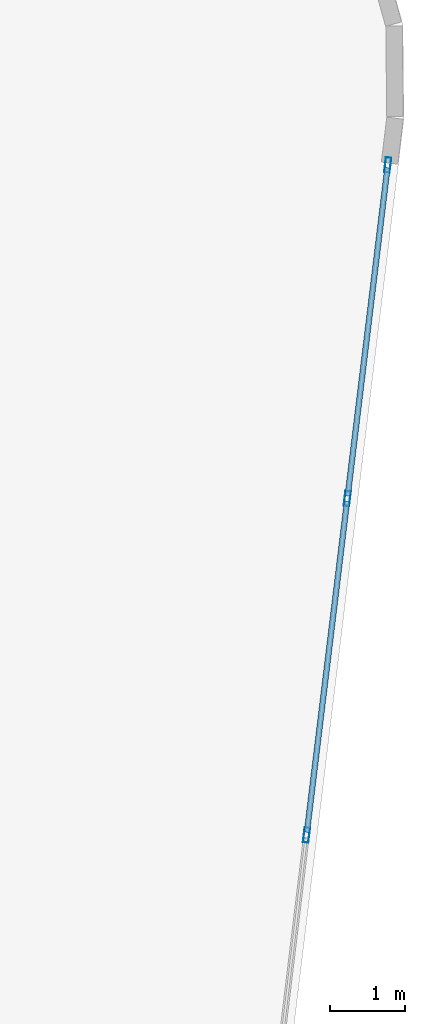
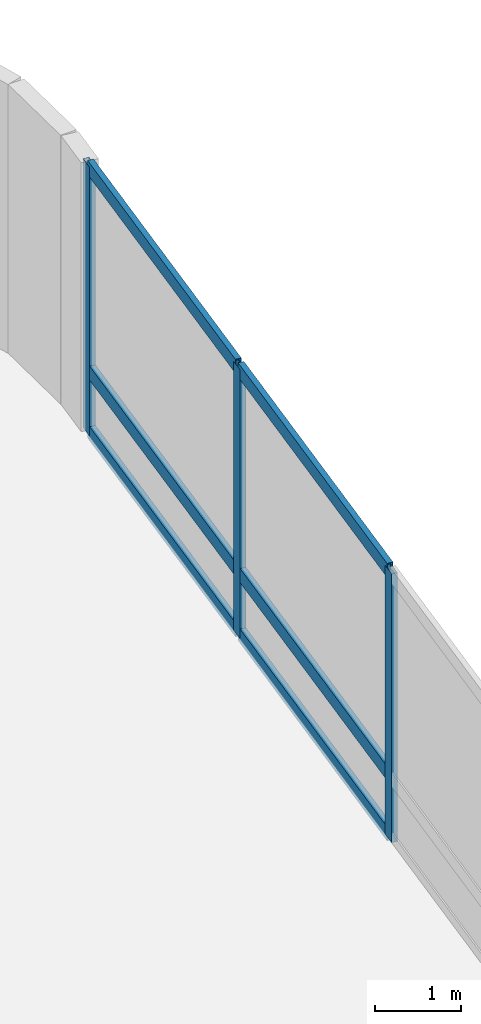
# One storey, part 14 of 22: 9 members, 1 element without a shape of its own.
"""IFC4 building model written with IfcOpenShell, lengths in metres."""

from ifc_helpers import new_model, si_unit, direction, frame, origin, origin_2d, place, context, subcontext, project, spatial, hollow_rectangle, extrude, material, layer, layer_set, material_profile, profile_set, type_object, element, aggregate, save


model = new_model("IFC4")

# Units and contexts
model_context = context("Model", 3, precision=1e-05, world=origin(), true_north=direction((0.0, 1.0)))
body_context = subcontext(model_context, "Body", "Model", "MODEL_VIEW")
ifc_project = project(units=[si_unit("LENGTHUNIT", "METRE"), si_unit("AREAUNIT", "SQUARE_METRE"), si_unit("VOLUMEUNIT", "CUBIC_METRE"), si_unit("PLANEANGLEUNIT", "RADIAN"), si_unit("MASSUNIT", "GRAM", prefix="KILO")], contexts=[model_context])

# Site, building, storey
site_placement = place(None, origin())
site = spatial("IfcSite", under=ifc_project, at=site_placement, CompositionType="ELEMENT")
building_placement = place(site_placement, origin())
building = spatial("IfcBuilding", under=site, at=building_placement, Name="Varnelok Gate Tower", CompositionType="ELEMENT")
storey_placement = place(building_placement, frame((0.0, 0.0, 116.89990234375)))
storey = spatial("IfcBuildingStorey", under=building, at=storey_placement, Name="L29", CompositionType="ELEMENT", Elevation=116.89990234375)

# Curtain wall, members
ifc_material = material(Name="Anodized Aluminum Alloy 6063-T6", Category="aluminium")
ifc_layer = layer(ifc_material, 0.179931640625)
ifc_layer_set = layer_set([ifc_layer], Name="Anodized Aluminum Alloy 6063-T6")
curtain_wall_type = type_object("IfcCurtainWallType", Name="CW2-ATRIUM-GLAZING", PredefinedType="USERDEFINED", material=ifc_layer_set)
curtain_wall_placement = place(storey_placement, origin())
curtain_wall = element("IfcCurtainWall", 1, at=curtain_wall_placement, inside=storey, type_object=curtain_wall_type, Name="L29 East End Vision Curtain Wall", ObjectType="UNITISED CURTAIN WALL", PredefinedType="USERDEFINED")
ifc_material_profile_1 = material_profile(ifc_material, hollow_rectangle(XDim=0.074951171875, YDim=0.199951171875, WallThickness=0.00390625, at=origin_2d()), Name="ALU200X75X4")
ifc_profile_set_1 = profile_set([ifc_material_profile_1], Name="Anodized Aluminum Alloy 6063-T6")
member_type_1 = type_object("IfcMemberType", Name="CW-MULL-200", PredefinedType="MULLION", material=ifc_profile_set_1)
member_1_placement = place(storey_placement, frame((75.902099609375, 36.728759765625, 0.0), z_axis=(0.0, 0.0, 1.0), x_axis=(0.992732166735, -0.120344692987, 0.0)))
member_1 = element("IfcMember", 2, at=member_1_placement, type_object=member_type_1, Name="CW2 mullion 1", PredefinedType="MULLION", context=body_context, shape_type="SweptSolid", body=[
    extrude(hollow_rectangle(XDim=0.074951171875, YDim=0.199951171875, WallThickness=0.00390625, at=origin_2d()), origin(), (0.0, 0.0, 1.0), 3.830078125),
])
member_2_placement = place(storey_placement, frame((75.36328125, 32.284423828125, 0.0), z_axis=(0.0, 0.0, 1.0), x_axis=(0.992732166735, -0.120344692987, 0.0)))
member_2 = element("IfcMember", 3, at=member_2_placement, type_object=member_type_1, Name="CW2 mullion 2", PredefinedType="MULLION", context=body_context, shape_type="SweptSolid", body=[
    extrude(hollow_rectangle(XDim=0.074951171875, YDim=0.199951171875, WallThickness=0.00390625, at=origin_2d()), origin(), (0.0, 0.0, 1.0), 3.830078125),
])
member_3_placement = place(storey_placement, frame((74.820068359375, 27.802978515625, 0.0), z_axis=(0.0, 0.0, 1.0), x_axis=(0.992732166735, -0.120344692987, 0.0)))
member_3 = element("IfcMember", 4, at=member_3_placement, type_object=member_type_1, Name="CW2 mullion 3", PredefinedType="MULLION", context=body_context, shape_type="SweptSolid", body=[
    extrude(hollow_rectangle(XDim=0.074951171875, YDim=0.199951171875, WallThickness=0.00390625, at=origin_2d()), origin(), (0.0, 0.0, 1.0), 3.830078125),
])
ifc_material_profile_2 = material_profile(ifc_material, hollow_rectangle(XDim=0.074951171875, YDim=0.199951171875, WallThickness=0.00390625, at=origin_2d()), Name="ALU200X75X4")
ifc_profile_set_2 = profile_set([ifc_material_profile_2], Name="Anodized Aluminum Alloy 6063-T6")
member_type_2 = type_object("IfcMemberType", Name="CW-TRAN-200", PredefinedType="USERDEFINED", material=ifc_profile_set_2)
member_4_placement = place(storey_placement, frame((75.8974609375, 36.69140625, 0.03759765625), z_axis=(-0.120299896428, -0.992737596205, 0.0), x_axis=(0.992737596205, -0.120299896428, 0.0)))
member_4 = element("IfcMember", 5, at=member_4_placement, type_object=member_type_2, Name="CW2 transom 1.1", ObjectType="TRANSOM", PredefinedType="USERDEFINED", context=body_context, shape_type="SweptSolid", body=[
    extrude(hollow_rectangle(XDim=0.074951171875, YDim=0.199951171875, WallThickness=0.00390625, at=origin_2d()), origin(), (0.0, 0.0, 1.0), 4.40185546875),
])
member_5_placement = place(storey_placement, frame((75.8974609375, 36.69140625, 0.900146484375), z_axis=(-0.120299896428, -0.992737596205, 0.0), x_axis=(0.992737596205, -0.120299896428, 0.0)))
member_5 = element("IfcMember", 6, at=member_5_placement, type_object=member_type_2, Name="CW2 transom 1.2", ObjectType="TRANSOM", PredefinedType="USERDEFINED", context=body_context, shape_type="SweptSolid", body=[
    extrude(hollow_rectangle(XDim=0.074951171875, YDim=0.199951171875, WallThickness=0.00390625, at=origin_2d()), origin(), (0.0, 0.0, 1.0), 4.40185546875),
])
member_6_placement = place(storey_placement, frame((75.8974609375, 36.69140625, 3.79248046875), z_axis=(-0.120299896428, -0.992737596205, 0.0), x_axis=(0.992737596205, -0.120299896428, 0.0)))
member_6 = element("IfcMember", 7, at=member_6_placement, type_object=member_type_2, Name="CW2 transom 1.3", ObjectType="TRANSOM", PredefinedType="USERDEFINED", context=body_context, shape_type="SweptSolid", body=[
    extrude(hollow_rectangle(XDim=0.074951171875, YDim=0.199951171875, WallThickness=0.00390625, at=origin_2d()), origin(), (0.0, 0.0, 1.0), 4.40185546875),
])
member_7_placement = place(storey_placement, frame((75.35888671875, 32.2470703125, 0.03759765625), z_axis=(-0.120385566713, -0.992727210933, 0.0), x_axis=(0.992727210933, -0.120385566713, 0.0)))
member_7 = element("IfcMember", 8, at=member_7_placement, type_object=member_type_2, Name="CW2 transom 2.1", ObjectType="TRANSOM", PredefinedType="USERDEFINED", context=body_context, shape_type="SweptSolid", body=[
    extrude(hollow_rectangle(XDim=0.074951171875, YDim=0.199951171875, WallThickness=0.00390625, at=origin_2d()), origin(), (0.0, 0.0, 1.0), 4.439208984375),
])
member_8_placement = place(storey_placement, frame((75.35888671875, 32.2470703125, 0.900146484375), z_axis=(-0.120385566713, -0.992727210933, 0.0), x_axis=(0.992727210933, -0.120385566713, 0.0)))
member_8 = element("IfcMember", 9, at=member_8_placement, type_object=member_type_2, Name="CW2 transom 2.2", ObjectType="TRANSOM", PredefinedType="USERDEFINED", context=body_context, shape_type="SweptSolid", body=[
    extrude(hollow_rectangle(XDim=0.074951171875, YDim=0.199951171875, WallThickness=0.00390625, at=origin_2d()), origin(), (0.0, 0.0, 1.0), 4.439208984375),
])
member_9_placement = place(storey_placement, frame((75.35888671875, 32.2470703125, 3.79248046875), z_axis=(-0.120385566713, -0.992727210933, 0.0), x_axis=(0.992727210933, -0.120385566713, 0.0)))
member_9 = element("IfcMember", 10, at=member_9_placement, type_object=member_type_2, Name="CW2 transom 2.3", ObjectType="TRANSOM", PredefinedType="USERDEFINED", context=body_context, shape_type="SweptSolid", body=[
    extrude(hollow_rectangle(XDim=0.074951171875, YDim=0.199951171875, WallThickness=0.00390625, at=origin_2d()), origin(), (0.0, 0.0, 1.0), 4.439208984375),
])
aggregate(curtain_wall, [member_1, member_2, member_3, member_4, member_5, member_6, member_7, member_8, member_9])

save(model, "model.ifc")
